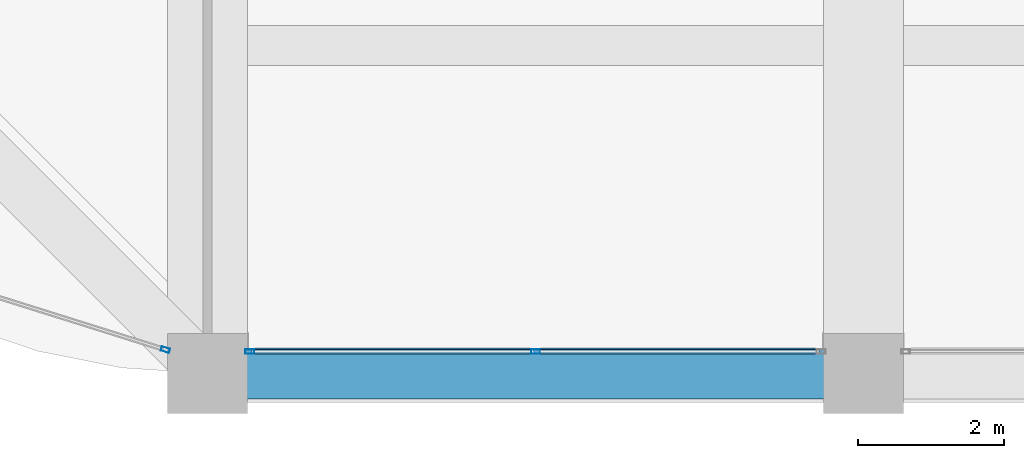
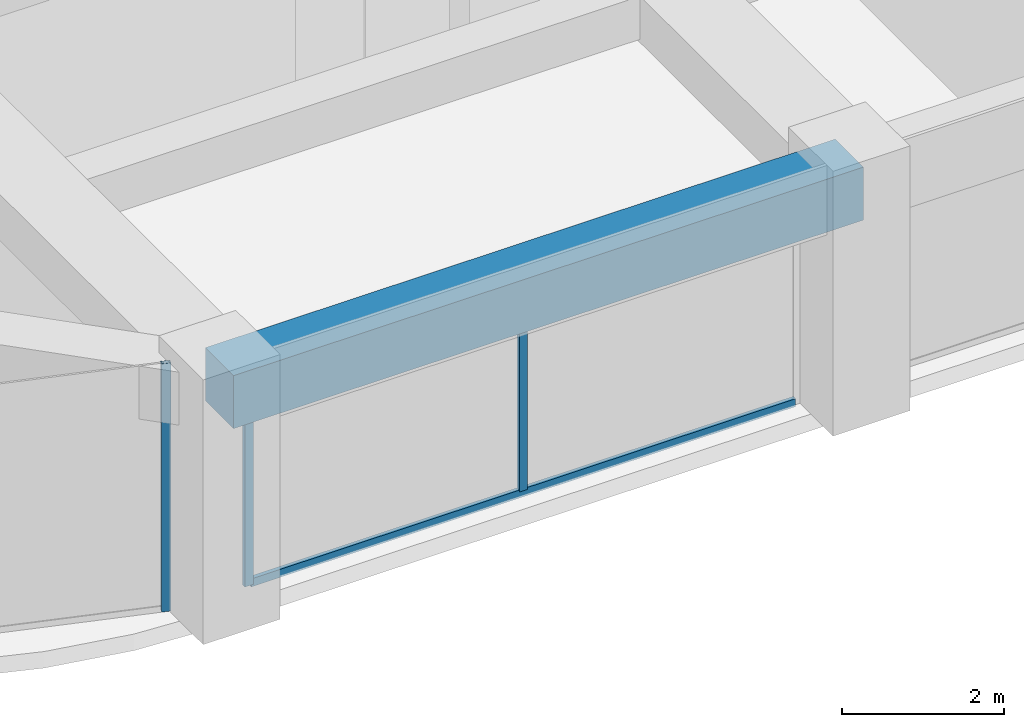
# One storey, part 4 of 45: 4 members, 1 beam, 2 elements without a shape of their own.
"""IFC4 building model written with IfcOpenShell, lengths in metres."""

import ifcopenshell
import ifcopenshell.guid

model = None  # the IFC model being written
_history = None  # IfcOwnerHistory: only IFC2X3 demands one
_inside = {}  # id of a spatial element -> (the spatial element, [elements in it])
_under = {}  # id of a project, library or spatial element -> (it, [spatial elements below it])
_declared = {}  # id of a project -> (the project, [libraries it declares])
_typed = {}  # id of a type object -> (the type object, [elements of that type])
_made_of = {}  # id of a material, layer set ... -> (it, [elements and type objects made of it])


def new_model(schema):
    """Start an empty IFC model of exactly this schema.

    Asked for "IFC4X3", IfcOpenShell would pick the latest addendum, in which some entities
    have other attributes; the version numbers below select the first issue.
    IFC2X3 requires an IfcOwnerHistory on every rooted entity: one is made here for all.
    """
    global model, _history
    if schema == "IFC4X3":
        model = ifcopenshell.file(schema_version=(4, 3, 0, 0))
    else:
        model = ifcopenshell.file(schema=schema)
    _inside.clear()
    _under.clear()
    _declared.clear()
    _typed.clear()
    _made_of.clear()
    _history = None
    if model.schema == "IFC2X3":
        org = make("IfcOrganization", Name="unknown")
        user = make(
            "IfcPersonAndOrganization",
            ThePerson=make("IfcPerson", FamilyName="unknown"),
            TheOrganization=org,
        )
        app = make(
            "IfcApplication",
            ApplicationDeveloper=org,
            Version="unknown",
            ApplicationFullName="unknown",
            ApplicationIdentifier="unknown",
        )
        _history = make(
            "IfcOwnerHistory",
            OwningUser=user,
            OwningApplication=app,
            ChangeAction="ADDED",
            CreationDate=0,
        )
    return model


def make(cls, **values):
    """One entity of the class cls with the attributes given. An attribute that is None is left unset."""
    return model.create_entity(
        cls, **{name: value for name, value in values.items() if value is not None}
    )


def rooted(cls, **values):
    """An entity with a GlobalId (a new one), such as an element, a storey or a relation."""
    return make(cls, GlobalId=ifcopenshell.guid.new(), OwnerHistory=_history, **values)


def si_unit(unit_type, name, prefix=None):
    """IfcSIUnit, for example si_unit("LENGTHUNIT", "METRE", prefix="MILLI")."""
    return make("IfcSIUnit", UnitType=unit_type, Prefix=prefix, Name=name)


def assignment(units):
    """IfcUnitAssignment: the units of a project."""
    return None if units is None else make("IfcUnitAssignment", Units=units)


def point(xyz):
    """IfcCartesianPoint."""
    return None if xyz is None else make("IfcCartesianPoint", Coordinates=xyz)


def direction(xyz):
    """IfcDirection."""
    return None if xyz is None else make("IfcDirection", DirectionRatios=xyz)


def frame(location, z_axis=None, x_axis=None):
    """IfcAxis2Placement3D, a coordinate frame: its origin and axes. An axis left out is left unset."""
    return make(
        "IfcAxis2Placement3D",
        Location=point(location),
        Axis=direction(z_axis),
        RefDirection=direction(x_axis),
    )


def frame_2d(location, x_axis=None):
    """IfcAxis2Placement2D, a coordinate frame in the plane: its origin and x axis."""
    return make(
        "IfcAxis2Placement2D", Location=point(location), RefDirection=direction(x_axis)
    )


def origin():
    """The frame at (0, 0, 0) with its axes left unset."""
    return frame((0.0, 0.0, 0.0))


def origin_2d():
    """The frame at (0, 0) in the plane with its x axis left unset."""
    return frame_2d((0.0, 0.0))


def place(relative_to, where):
    """IfcLocalPlacement: puts the frame where relative to a parent placement (None: the world)."""
    return make(
        "IfcLocalPlacement", PlacementRelTo=relative_to, RelativePlacement=where
    )


def context(
    kind, dimensions, precision=None, world=None, true_north=None, identifier=None
):
    """IfcGeometricRepresentationContext, for example the 3D "Model" context."""
    return make(
        "IfcGeometricRepresentationContext",
        ContextIdentifier=identifier,
        ContextType=kind,
        CoordinateSpaceDimension=dimensions,
        Precision=precision,
        WorldCoordinateSystem=world,
        TrueNorth=true_north,
    )


def subcontext(parent, identifier, kind, view, scale=None):
    """IfcGeometricRepresentationSubContext, for example "Body" below "Model"."""
    return make(
        "IfcGeometricRepresentationSubContext",
        ContextIdentifier=identifier,
        ContextType=kind,
        ParentContext=parent,
        TargetScale=scale,
        TargetView=view,
    )


def project(units=None, contexts=None):
    """IfcProject with its units and contexts."""
    return rooted(
        "IfcProject",
        Name="project",
        RepresentationContexts=contexts,
        UnitsInContext=assignment(units),
    )


def spatial(cls, under=None, at=None, **own):
    """A site, building, storey or space (cls), placed at a placement, below another one or the project."""
    s = rooted(cls, ObjectPlacement=at, **own)
    if under is not None:
        _under.setdefault(under.id(), (under, []))[1].append(s)
    return s


def profile(cls, at=None, kind="AREA", **sizes):
    """A parametric profile (cls). Its sizes go by their IFC names, for example OverallWidth=200.0."""
    return make(cls, ProfileType=kind, Position=at, **sizes)


def rectangle(**sizes):
    """IfcRectangleProfileDef."""
    return profile("IfcRectangleProfileDef", **sizes)


def hollow_rectangle(**sizes):
    """IfcRectangleHollowProfileDef."""
    return profile("IfcRectangleHollowProfileDef", **sizes)


def extrude(swept, where, along, depth):
    """IfcExtrudedAreaSolid: the profile swept, set in the frame where, extruded along a direction by depth."""
    return make(
        "IfcExtrudedAreaSolid",
        SweptArea=swept,
        Position=where,
        ExtrudedDirection=direction(along),
        Depth=depth,
    )


def shape(context_of_items, identifier, shape_type, items):
    """IfcShapeRepresentation: the items that make up one representation, for example the "Body"."""
    return make(
        "IfcShapeRepresentation",
        ContextOfItems=context_of_items,
        RepresentationIdentifier=identifier,
        RepresentationType=shape_type,
        Items=items,
    )


def material(Name=None, Category=None):
    """IfcMaterial."""
    return make("IfcMaterial", Name=Name, Category=Category)


def material_profile(
    of_material, cross_section, Name=None, Category=None, Priority=None
):
    """IfcMaterialProfile: a cross section and its material."""
    return make(
        "IfcMaterialProfile",
        Name=Name,
        Material=of_material,
        Profile=cross_section,
        Priority=Priority,
        Category=Category,
    )


def profile_set(profiles, Name=None, composite=None):
    """IfcMaterialProfileSet."""
    return make(
        "IfcMaterialProfileSet",
        Name=Name,
        MaterialProfiles=profiles,
        CompositeProfile=composite,
    )


def made_of(thing, what):
    """Note that an element or type object is made of a material, layer set ...; save() writes the relation."""
    if what is not None:
        _made_of.setdefault(what.id(), (what, []))[1].append(thing)
    return thing


def type_object(cls, material=None, **own):
    """A type object (cls), such as IfcWallType, which elements share."""
    return made_of(rooted(cls, **own), material)


def element(
    cls,
    number,
    at=None,
    inside=None,
    cuts=None,
    type_object=None,
    material=None,
    context=None,
    identifier="Body",
    shape_type=None,
    held_by="IfcProductDefinitionShape",
    body=None,
    shapes=None,
    **own,
):
    """One element of the class cls, such as IfcWall. Its Tag is "e" and its number.

    at: its placement. inside: the storey or other place that contains it. cuts: it is an
    opening in that element (IfcRelVoidsElement). A single representation is given by context,
    identifier, shape_type and body (its items); several are given by shapes. held_by: the class
    of the entity that holds the representations. save() writes the other relations.
    """
    e = rooted(cls, Tag="e%d" % number, ObjectPlacement=at, **own)
    if body is not None:
        shapes = [shape(context, identifier, shape_type, body)]
    if shapes is not None:
        e.Representation = make(held_by, Representations=shapes)
    if inside is not None:
        _inside.setdefault(inside.id(), (inside, []))[1].append(e)
    if cuts is not None:
        rooted(
            "IfcRelVoidsElement", RelatingBuildingElement=cuts, RelatedOpeningElement=e
        )
    if type_object is not None:
        _typed.setdefault(type_object.id(), (type_object, []))[1].append(e)
    return made_of(e, material)


def aggregate(whole, parts):
    """IfcRelAggregates: a whole, such as a stair, and the parts it consists of."""
    return rooted("IfcRelAggregates", RelatingObject=whole, RelatedObjects=parts)


def save(model, path):
    """Write the relations noted so far, then the file.

    IfcRelAggregates (storeys below a building ...), IfcRelContainedInSpatialStructure (elements
    in a storey), IfcRelDefinesByType, IfcRelAssociatesMaterial and IfcRelDeclares: one each for
    every whole, place, type object, material and project.
    """
    for whole, parts in _under.values():
        aggregate(whole, parts)
    for where, things in _inside.values():
        rooted(
            "IfcRelContainedInSpatialStructure",
            RelatedElements=things,
            RelatingStructure=where,
        )
    for kind, things in _typed.values():
        rooted("IfcRelDefinesByType", RelatedObjects=things, RelatingType=kind)
    for what, things in _made_of.values():
        rooted("IfcRelAssociatesMaterial", RelatedObjects=things, RelatingMaterial=what)
    for by, libraries in _declared.values():
        rooted("IfcRelDeclares", RelatingContext=by, RelatedDefinitions=libraries)
    model.write(path)


model = new_model("IFC4")

# Units and contexts
model_context = context("Model", 3, precision=1e-05, world=origin(), true_north=direction((0.0, 1.0)))
body_context = subcontext(model_context, "Body", "Model", "MODEL_VIEW")
ifc_project = project(units=[si_unit("LENGTHUNIT", "METRE"), si_unit("AREAUNIT", "SQUARE_METRE"), si_unit("VOLUMEUNIT", "CUBIC_METRE"), si_unit("PLANEANGLEUNIT", "RADIAN"), si_unit("MASSUNIT", "GRAM", prefix="KILO")], contexts=[model_context])

# Site, building, storey
site_placement = place(None, origin())
site = spatial("IfcSite", under=ifc_project, at=site_placement, CompositionType="ELEMENT")
building_placement = place(site_placement, origin())
building = spatial("IfcBuilding", under=site, at=building_placement, Name="Zorevar Civic Tower", CompositionType="ELEMENT")
storey_placement = place(building_placement, frame((0.0, 0.0, 279.39990234375)))
storey = spatial("IfcBuildingStorey", under=building, at=storey_placement, Name="L68", CompositionType="ELEMENT", Elevation=279.39990234375)

# Curtain wall, members
ifc_material_1 = material(Name="Dark grey solar-control glass in black aluminium frame", Category="aluminium")
curtain_wall_type = type_object("IfcCurtainWallType", Name="Curtain wall CW5 top zone", PredefinedType="NOTDEFINED", material=ifc_material_1)
curtain_wall_1_placement = place(storey_placement, origin())
curtain_wall_1 = element("IfcCurtainWall", 1, at=curtain_wall_1_placement, inside=storey, type_object=curtain_wall_type, Name="CW5 L68", PredefinedType="NOTDEFINED")
ifc_material_2 = material(Name="Aluminium, black anodised", Category="aluminium")
ifc_material_profile_1 = material_profile(ifc_material_2, hollow_rectangle(XDim=0.06005859375, YDim=0.1201171875, WallThickness=0.0029296875, at=origin_2d()), Name="AL 120x60x3")
ifc_profile_set_1 = profile_set([ifc_material_profile_1], Name="Aluminium, black anodised")
member_type_1 = type_object("IfcMemberType", Name="CW5 mullion AL 120x60x3", PredefinedType="MULLION", material=ifc_profile_set_1)
member_1_placement = place(storey_placement, frame((18.580078125, 0.300048828125, 0.0), z_axis=(0.0, 0.0, 1.0), x_axis=(0.0, 1.0, 0.0)))
member_1 = element("IfcMember", 2, at=member_1_placement, type_object=member_type_1, Name="CW5 mullion 1", PredefinedType="MULLION", context=body_context, shape_type="SweptSolid", body=[
    extrude(hollow_rectangle(XDim=0.06005859375, YDim=0.1201171875, WallThickness=0.0029296875, at=origin_2d()), origin(), (0.0, 0.0, 1.0), 2.9501953125),
])
member_2_placement = place(storey_placement, frame((22.5, 0.300048828125, 0.06005859375), z_axis=(0.0, 0.0, 1.0), x_axis=(0.0, 1.0, 0.0)))
member_2 = element("IfcMember", 3, at=member_2_placement, type_object=member_type_1, Name="CW5 mullion 2", PredefinedType="MULLION", context=body_context, shape_type="SweptSolid", body=[
    extrude(hollow_rectangle(XDim=0.06005859375, YDim=0.1201171875, WallThickness=0.0029296875, at=origin_2d()), origin(), (0.0, 0.0, 1.0), 2.89013671875),
])

# Curtain wall, member
curtain_wall_2_placement = place(storey_placement, origin())
curtain_wall_2 = element("IfcCurtainWall", 4, at=curtain_wall_2_placement, inside=storey, type_object=curtain_wall_type, Name="CW5 L68", PredefinedType="NOTDEFINED")
member_3_placement = place(storey_placement, frame((17.42138671875, 0.326416015625, 0.0), z_axis=(0.0, 0.0, 1.0), x_axis=(0.299317920238, 0.954153437674, 0.0)))
member_3 = element("IfcMember", 5, at=member_3_placement, type_object=member_type_1, Name="CW5 mullion 2", PredefinedType="MULLION", context=body_context, shape_type="SweptSolid", body=[
    extrude(hollow_rectangle(XDim=0.06005859375, YDim=0.1201171875, WallThickness=0.0029296875, at=origin_2d()), origin(), (0.0, 0.0, 1.0), 3.75),
])
aggregate(curtain_wall_2, [member_3])

# Member
ifc_material_3 = material(Name="Aluminium, black anodised", Category="aluminium")
ifc_material_profile_2 = material_profile(ifc_material_3, hollow_rectangle(XDim=0.06005859375, YDim=0.1201171875, WallThickness=0.0029296875, at=origin_2d()), Name="AL 120x60x3")
ifc_profile_set_2 = profile_set([ifc_material_profile_2], Name="Aluminium, black anodised")
member_type_2 = type_object("IfcMemberType", Name="CW5 transom AL 120x60x3", PredefinedType="USERDEFINED", material=ifc_profile_set_2)
member_4_placement = place(storey_placement, frame((18.610107421875, 0.300048828125, 0.030029296875), z_axis=(1.0, 0.0, 0.0), x_axis=(0.0, 1.0, 0.0)))
member_4 = element("IfcMember", 6, at=member_4_placement, type_object=member_type_2, Name="CW5 sill transom", ObjectType="TRANSOM", PredefinedType="USERDEFINED", context=body_context, shape_type="SweptSolid", body=[
    extrude(hollow_rectangle(XDim=0.06005859375, YDim=0.1201171875, WallThickness=0.0029296875, at=origin_2d()), origin(), (0.0, 0.0, 1.0), 7.77978515625),
])

aggregate(curtain_wall_1, [member_1, member_2, member_4])

# Beam
ifc_material_4 = material(Name="Concrete C50/60", Category="concrete")
ifc_material_profile_3 = material_profile(ifc_material_4, rectangle(XDim=0.699951171875, YDim=0.800048828125, at=origin_2d()), Name="RC 700x800")
ifc_profile_set_3 = profile_set([ifc_material_profile_3], Name="Concrete C50/60")
beam_type = type_object("IfcBeamType", Name="Edge beam RC 700x800", PredefinedType="SPANDREL", material=ifc_profile_set_3)
beam_placement = place(storey_placement, frame((18.0, 0.0, 3.35009765625), z_axis=(1.0, 0.0, 0.0), x_axis=(0.0, 1.0, 0.0)))
element("IfcBeam", 7, at=beam_placement, inside=storey, type_object=beam_type, Name="Edge beam L69", PredefinedType="SPANDREL", context=body_context, shape_type="SweptSolid", body=[
    extrude(rectangle(XDim=0.699951171875, YDim=0.800048828125, at=origin_2d()), origin(), (0.0, 0.0, 1.0), 9.0),
])

save(model, "model.ifc")
